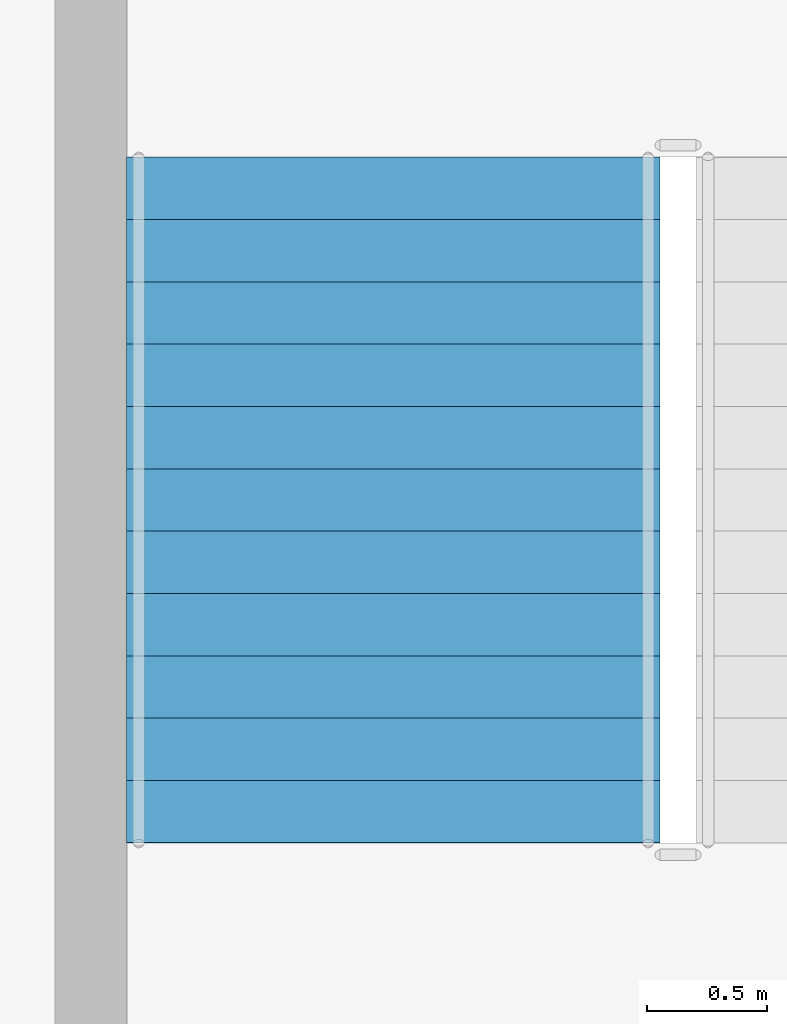
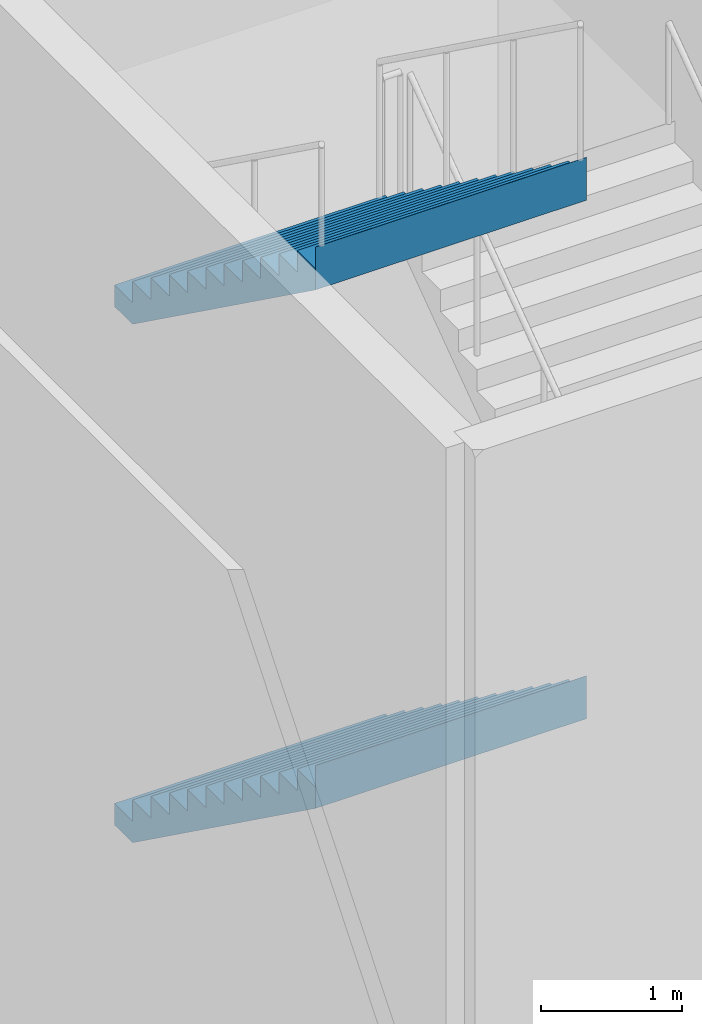
# One storey, part 25 of 35: 2 stair flights, 1 element without a shape of its own.
"""IFC4 building model written with IfcOpenShell, lengths in metres."""

from ifc_helpers import new_model, si_unit, direction, frame, origin, place, context, subcontext, project, spatial, triangles, material, type_object, element, aggregate, save


model = new_model("IFC4")

# Units and contexts
model_context = context("Model", 3, precision=1e-05, world=origin(), true_north=direction((0.0, 1.0)))
body_context = subcontext(model_context, "Body", "Model", "MODEL_VIEW")
ifc_project = project(units=[si_unit("LENGTHUNIT", "METRE"), si_unit("AREAUNIT", "SQUARE_METRE"), si_unit("VOLUMEUNIT", "CUBIC_METRE"), si_unit("PLANEANGLEUNIT", "RADIAN"), si_unit("MASSUNIT", "GRAM", prefix="KILO")], contexts=[model_context])

# Site, building, storey
site_placement = place(None, origin())
site = spatial("IfcSite", under=ifc_project, at=site_placement, CompositionType="ELEMENT")
building_placement = place(site_placement, origin())
building = spatial("IfcBuilding", under=site, at=building_placement, Name="Sahrelin Media Tower", CompositionType="ELEMENT")
storey_placement = place(building_placement, frame((0.0, 0.0, 8.0)))
storey = spatial("IfcBuildingStorey", under=building, at=storey_placement, Name="L01", CompositionType="ELEMENT", Elevation=8.0)

# Stair, stair flights
ifc_material = material(Name="Concrete C40/50", Category="concrete")
stair_type = type_object("IfcStairType", Name="Podium stair 2225", PredefinedType="HALF_TURN_STAIR", material=ifc_material)
stair_placement = place(storey_placement, origin())
stair = element("IfcStair", 1, at=stair_placement, inside=storey, type_object=stair_type, Name="L01 Podium stair PS1", PredefinedType="HALF_TURN_STAIR")
stair_flight_type = type_object("IfcStairFlightType", Name="Stair flight 2225", PredefinedType="STRAIGHT", material=ifc_material)
stair_flight_1_placement = place(storey_placement, frame((9.46240234375, 33.485107421875, 2.25), z_axis=(0.0, 0.0, 1.0), x_axis=(0.0, -1.0, 0.0)))
stair_flight_1 = element("IfcStairFlight", 2, at=stair_flight_1_placement, type_object=stair_flight_type, Name="PS1 flight 2", NumberOfRisers=12, NumberOfTreads=11, PredefinedType="STRAIGHT", RiserHeight=0.1875, TreadLength=0.26, context=body_context, shape_type="Tessellation", body=[
    triangles([(0.25634765625, 1.112548828125, 0.0), (0.25634765625, 0.794677734375, 0.0), (0.25634765625, 0.476806640625, 0.0), (0.25634765625, 0.158935546875, 0.0), (0.25634765625, -0.158935546875, 0.0), (0.25634765625, -0.476806640625, 0.0), (0.25634765625, -0.794677734375, 0.0), (0.25634765625, -1.112548828125, 0.0), (2.860107421875, 1.112548828125, 1.877685546875), (2.860107421875, 0.794677734375, 1.877685546875), (2.860107421875, 0.476806640625, 1.877685546875), (2.860107421875, 0.158935546875, 1.877685546875), (2.860107421875, -0.158935546875, 1.877685546875), (2.860107421875, -0.476806640625, 1.877685546875), (2.860107421875, -0.794677734375, 1.877685546875), (2.860107421875, -1.112548828125, 1.877685546875), (2.860107421875, 1.112548828125, 2.25), (2.860107421875, 0.794677734375, 2.25), (2.860107421875, 0.476806640625, 2.25), (2.860107421875, 0.158935546875, 2.25), (2.860107421875, -0.158935546875, 2.25), (2.860107421875, -0.476806640625, 2.25), (2.860107421875, -0.794677734375, 2.25), (2.860107421875, -1.112548828125, 2.25), (2.85791015625, 1.112548828125, 2.25), (2.85791015625, 0.794677734375, 2.25), (2.85791015625, 0.476806640625, 2.25), (2.85791015625, 0.158935546875, 2.25), (2.85791015625, -0.158935546875, 2.25), (2.85791015625, -0.476806640625, 2.25), (2.85791015625, -0.794677734375, 2.25), (2.85791015625, -1.112548828125, 2.25), (2.85791015625, 1.112548828125, 2.0625), (2.85791015625, 0.794677734375, 2.0625), (2.85791015625, 0.476806640625, 2.0625), (2.85791015625, 0.158935546875, 2.0625), (2.85791015625, -0.158935546875, 2.0625), (2.85791015625, -0.476806640625, 2.0625), (2.85791015625, -0.794677734375, 2.0625), (2.85791015625, -1.112548828125, 2.0625), (2.60009765625, 1.112548828125, 2.0625), (2.60009765625, 0.794677734375, 2.0625), (2.60009765625, 0.476806640625, 2.0625), (2.60009765625, 0.158935546875, 2.0625), (2.60009765625, -0.158935546875, 2.0625), (2.60009765625, -0.476806640625, 2.0625), (2.60009765625, -0.794677734375, 2.0625), (2.60009765625, -1.112548828125, 2.0625), (2.60009765625, 1.112548828125, 1.875), (2.60009765625, 0.794677734375, 1.875), (2.60009765625, 0.476806640625, 1.875), (2.60009765625, 0.158935546875, 1.875), (2.60009765625, -0.158935546875, 1.875), (2.60009765625, -0.476806640625, 1.875), (2.60009765625, -0.794677734375, 1.875), (2.60009765625, -1.112548828125, 1.875), (2.340087890625, 1.112548828125, 1.875), (2.340087890625, 0.794677734375, 1.875), (2.340087890625, 0.476806640625, 1.875), (2.340087890625, 0.158935546875, 1.875), (2.340087890625, -0.158935546875, 1.875), (2.340087890625, -0.476806640625, 1.875), (2.340087890625, -0.794677734375, 1.875), (2.340087890625, -1.112548828125, 1.875), (2.340087890625, 1.112548828125, 1.6875), (2.340087890625, 0.794677734375, 1.6875), (2.340087890625, 0.476806640625, 1.6875), (2.340087890625, 0.158935546875, 1.6875), (2.340087890625, -0.158935546875, 1.6875), (2.340087890625, -0.476806640625, 1.6875), (2.340087890625, -0.794677734375, 1.6875), (2.340087890625, -1.112548828125, 1.6875), (2.080078125, 1.112548828125, 1.6875), (2.080078125, 0.794677734375, 1.6875), (2.080078125, 0.476806640625, 1.6875), (2.080078125, 0.158935546875, 1.6875), (2.080078125, -0.158935546875, 1.6875), (2.080078125, -0.476806640625, 1.6875), (2.080078125, -0.794677734375, 1.6875), (2.080078125, -1.112548828125, 1.6875), (2.080078125, 1.112548828125, 1.5), (2.080078125, 0.794677734375, 1.5), (2.080078125, 0.476806640625, 1.5), (2.080078125, 0.158935546875, 1.5), (2.080078125, -0.158935546875, 1.5), (2.080078125, -0.476806640625, 1.5), (2.080078125, -0.794677734375, 1.5), (2.080078125, -1.112548828125, 1.5), (1.820068359375, 1.112548828125, 1.5), (1.820068359375, 0.794677734375, 1.5), (1.820068359375, 0.476806640625, 1.5), (1.820068359375, 0.158935546875, 1.5), (1.820068359375, -0.158935546875, 1.5), (1.820068359375, -0.476806640625, 1.5), (1.820068359375, -0.794677734375, 1.5), (1.820068359375, -1.112548828125, 1.5), (1.820068359375, 1.112548828125, 1.3125), (1.820068359375, 0.794677734375, 1.3125), (1.820068359375, 0.476806640625, 1.3125), (1.820068359375, 0.158935546875, 1.3125), (1.820068359375, -0.158935546875, 1.3125), (1.820068359375, -0.476806640625, 1.3125), (1.820068359375, -0.794677734375, 1.3125), (1.820068359375, -1.112548828125, 1.3125), (1.56005859375, 1.112548828125, 1.3125), (1.56005859375, 0.794677734375, 1.3125), (1.56005859375, 0.476806640625, 1.3125), (1.56005859375, 0.158935546875, 1.3125), (1.56005859375, -0.158935546875, 1.3125), (1.56005859375, -0.476806640625, 1.3125), (1.56005859375, -0.794677734375, 1.3125), (1.56005859375, -1.112548828125, 1.3125), (1.56005859375, 1.112548828125, 1.125), (1.56005859375, 0.794677734375, 1.125), (1.56005859375, 0.476806640625, 1.125), (1.56005859375, 0.158935546875, 1.125), (1.56005859375, -0.158935546875, 1.125), (1.56005859375, -0.476806640625, 1.125), (1.56005859375, -0.794677734375, 1.125), (1.56005859375, -1.112548828125, 1.125), (1.300048828125, 1.112548828125, 1.125), (1.300048828125, 0.794677734375, 1.125), (1.300048828125, 0.476806640625, 1.125), (1.300048828125, 0.158935546875, 1.125), (1.300048828125, -0.158935546875, 1.125), (1.300048828125, -0.476806640625, 1.125), (1.300048828125, -0.794677734375, 1.125), (1.300048828125, -1.112548828125, 1.125), (1.300048828125, 1.112548828125, 0.9375), (1.300048828125, 0.794677734375, 0.9375), (1.300048828125, 0.476806640625, 0.9375), (1.300048828125, 0.158935546875, 0.9375), (1.300048828125, -0.158935546875, 0.9375), (1.300048828125, -0.476806640625, 0.9375), (1.300048828125, -0.794677734375, 0.9375), (1.300048828125, -1.112548828125, 0.9375), (1.0400390625, 1.112548828125, 0.9375), (1.0400390625, 0.794677734375, 0.9375), (1.0400390625, 0.476806640625, 0.9375), (1.0400390625, 0.158935546875, 0.9375), (1.0400390625, -0.158935546875, 0.9375), (1.0400390625, -0.476806640625, 0.9375), (1.0400390625, -0.794677734375, 0.9375), (1.0400390625, -1.112548828125, 0.9375), (1.0400390625, 1.112548828125, 0.75), (1.0400390625, 0.794677734375, 0.75), (1.0400390625, 0.476806640625, 0.75), (1.0400390625, 0.158935546875, 0.75), (1.0400390625, -0.158935546875, 0.75), (1.0400390625, -0.476806640625, 0.75), (1.0400390625, -0.794677734375, 0.75), (1.0400390625, -1.112548828125, 0.75), (0.780029296875, 1.112548828125, 0.75), (0.780029296875, 0.794677734375, 0.75), (0.780029296875, 0.476806640625, 0.75), (0.780029296875, 0.158935546875, 0.75), (0.780029296875, -0.158935546875, 0.75), (0.780029296875, -0.476806640625, 0.75), (0.780029296875, -0.794677734375, 0.75), (0.780029296875, -1.112548828125, 0.75), (0.780029296875, 1.112548828125, 0.5625), (0.780029296875, 0.794677734375, 0.5625), (0.780029296875, 0.476806640625, 0.5625), (0.780029296875, 0.158935546875, 0.5625), (0.780029296875, -0.158935546875, 0.5625), (0.780029296875, -0.476806640625, 0.5625), (0.780029296875, -0.794677734375, 0.5625), (0.780029296875, -1.112548828125, 0.5625), (0.52001953125, 1.112548828125, 0.5625), (0.52001953125, 0.794677734375, 0.5625), (0.52001953125, 0.476806640625, 0.5625), (0.52001953125, 0.158935546875, 0.5625), (0.52001953125, -0.158935546875, 0.5625), (0.52001953125, -0.476806640625, 0.5625), (0.52001953125, -0.794677734375, 0.5625), (0.52001953125, -1.112548828125, 0.5625), (0.52001953125, 1.112548828125, 0.375), (0.52001953125, 0.794677734375, 0.375), (0.52001953125, 0.476806640625, 0.375), (0.52001953125, 0.158935546875, 0.375), (0.52001953125, -0.158935546875, 0.375), (0.52001953125, -0.476806640625, 0.375), (0.52001953125, -0.794677734375, 0.375), (0.52001953125, -1.112548828125, 0.375), (0.260009765625, 1.112548828125, 0.375), (0.260009765625, 0.794677734375, 0.375), (0.260009765625, 0.476806640625, 0.375), (0.260009765625, 0.158935546875, 0.375), (0.260009765625, -0.158935546875, 0.375), (0.260009765625, -0.476806640625, 0.375), (0.260009765625, -0.794677734375, 0.375), (0.260009765625, -1.112548828125, 0.375), (0.260009765625, 1.112548828125, 0.1875), (0.260009765625, 0.794677734375, 0.1875), (0.260009765625, 0.476806640625, 0.1875), (0.260009765625, 0.158935546875, 0.1875), (0.260009765625, -0.158935546875, 0.1875), (0.260009765625, -0.476806640625, 0.1875), (0.260009765625, -0.794677734375, 0.1875), (0.260009765625, -1.112548828125, 0.1875), (0.0, 1.112548828125, 0.1875), (0.0, 0.794677734375, 0.1875), (0.0, 0.476806640625, 0.1875), (0.0, 0.158935546875, 0.1875), (0.0, -0.158935546875, 0.1875), (0.0, -0.476806640625, 0.1875), (0.0, -0.794677734375, 0.1875), (0.0, -1.112548828125, 0.1875), (0.0, 1.112548828125, 0.0), (0.0, 0.794677734375, 0.0), (0.0, 0.476806640625, 0.0), (0.0, 0.158935546875, 0.0), (0.0, -0.158935546875, 0.0), (0.0, -0.476806640625, 0.0), (0.0, -0.794677734375, 0.0), (0.0, -1.112548828125, 0.0)], [[1, 9, 10], [1, 10, 2], [2, 10, 11], [2, 11, 3], [3, 11, 12], [3, 12, 4], [4, 12, 13], [4, 13, 5], [5, 13, 14], [5, 14, 6], [6, 14, 15], [6, 15, 7], [7, 15, 16], [7, 16, 8], [9, 17, 18], [9, 18, 10], [10, 18, 19], [10, 19, 11], [11, 19, 20], [11, 20, 12], [12, 20, 21], [12, 21, 13], [13, 21, 22], [13, 22, 14], [14, 22, 23], [14, 23, 15], [15, 23, 24], [15, 24, 16], [17, 25, 26], [17, 26, 18], [18, 26, 27], [18, 27, 19], [19, 27, 28], [19, 28, 20], [20, 28, 29], [20, 29, 21], [21, 29, 30], [21, 30, 22], [22, 30, 31], [22, 31, 23], [23, 31, 32], [23, 32, 24], [25, 33, 34], [25, 34, 26], [26, 34, 35], [26, 35, 27], [27, 35, 36], [27, 36, 28], [28, 36, 37], [28, 37, 29], [29, 37, 38], [29, 38, 30], [30, 38, 39], [30, 39, 31], [31, 39, 40], [31, 40, 32], [33, 41, 42], [33, 42, 34], [34, 42, 43], [34, 43, 35], [35, 43, 44], [35, 44, 36], [36, 44, 45], [36, 45, 37], [37, 45, 46], [37, 46, 38], [38, 46, 47], [38, 47, 39], [39, 47, 48], [39, 48, 40], [41, 49, 50], [41, 50, 42], [42, 50, 51], [42, 51, 43], [43, 51, 52], [43, 52, 44], [44, 52, 53], [44, 53, 45], [45, 53, 54], [45, 54, 46], [46, 54, 55], [46, 55, 47], [47, 55, 56], [47, 56, 48], [49, 57, 58], [49, 58, 50], [50, 58, 59], [50, 59, 51], [51, 59, 60], [51, 60, 52], [52, 60, 61], [52, 61, 53], [53, 61, 62], [53, 62, 54], [54, 62, 63], [54, 63, 55], [55, 63, 64], [55, 64, 56], [57, 65, 66], [57, 66, 58], [58, 66, 67], [58, 67, 59], [59, 67, 68], [59, 68, 60], [60, 68, 69], [60, 69, 61], [61, 69, 70], [61, 70, 62], [62, 70, 71], [62, 71, 63], [63, 71, 72], [63, 72, 64], [65, 73, 74], [65, 74, 66], [66, 74, 75], [66, 75, 67], [67, 75, 76], [67, 76, 68], [68, 76, 77], [68, 77, 69], [69, 77, 78], [69, 78, 70], [70, 78, 79], [70, 79, 71], [71, 79, 80], [71, 80, 72], [73, 81, 82], [73, 82, 74], [74, 82, 83], [74, 83, 75], [75, 83, 84], [75, 84, 76], [76, 84, 85], [76, 85, 77], [77, 85, 86], [77, 86, 78], [78, 86, 87], [78, 87, 79], [79, 87, 88], [79, 88, 80], [81, 89, 90], [81, 90, 82], [82, 90, 91], [82, 91, 83], [83, 91, 92], [83, 92, 84], [84, 92, 93], [84, 93, 85], [85, 93, 94], [85, 94, 86], [86, 94, 95], [86, 95, 87], [87, 95, 96], [87, 96, 88], [89, 97, 98], [89, 98, 90], [90, 98, 99], [90, 99, 91], [91, 99, 100], [91, 100, 92], [92, 100, 101], [92, 101, 93], [93, 101, 102], [93, 102, 94], [94, 102, 103], [94, 103, 95], [95, 103, 104], [95, 104, 96], [97, 105, 106], [97, 106, 98], [98, 106, 107], [98, 107, 99], [99, 107, 108], [99, 108, 100], [100, 108, 109], [100, 109, 101], [101, 109, 110], [101, 110, 102], [102, 110, 111], [102, 111, 103], [103, 111, 112], [103, 112, 104], [105, 113, 114], [105, 114, 106], [106, 114, 115], [106, 115, 107], [107, 115, 116], [107, 116, 108], [108, 116, 117], [108, 117, 109], [109, 117, 118], [109, 118, 110], [110, 118, 119], [110, 119, 111], [111, 119, 120], [111, 120, 112], [113, 121, 122], [113, 122, 114], [114, 122, 123], [114, 123, 115], [115, 123, 124], [115, 124, 116], [116, 124, 125], [116, 125, 117], [117, 125, 126], [117, 126, 118], [118, 126, 127], [118, 127, 119], [119, 127, 128], [119, 128, 120], [121, 129, 130], [121, 130, 122], [122, 130, 131], [122, 131, 123], [123, 131, 132], [123, 132, 124], [124, 132, 133], [124, 133, 125], [125, 133, 134], [125, 134, 126], [126, 134, 135], [126, 135, 127], [127, 135, 136], [127, 136, 128], [129, 137, 138], [129, 138, 130], [130, 138, 139], [130, 139, 131], [131, 139, 140], [131, 140, 132], [132, 140, 141], [132, 141, 133], [133, 141, 142], [133, 142, 134], [134, 142, 143], [134, 143, 135], [135, 143, 144], [135, 144, 136], [137, 145, 146], [137, 146, 138], [138, 146, 147], [138, 147, 139], [139, 147, 148], [139, 148, 140], [140, 148, 149], [140, 149, 141], [141, 149, 150], [141, 150, 142], [142, 150, 151], [142, 151, 143], [143, 151, 152], [143, 152, 144], [145, 153, 154], [145, 154, 146], [146, 154, 155], [146, 155, 147], [147, 155, 156], [147, 156, 148], [148, 156, 157], [148, 157, 149], [149, 157, 158], [149, 158, 150], [150, 158, 159], [150, 159, 151], [151, 159, 160], [151, 160, 152], [153, 161, 162], [153, 162, 154], [154, 162, 163], [154, 163, 155], [155, 163, 164], [155, 164, 156], [156, 164, 165], [156, 165, 157], [157, 165, 166], [157, 166, 158], [158, 166, 167], [158, 167, 159], [159, 167, 168], [159, 168, 160], [161, 169, 170], [161, 170, 162], [162, 170, 171], [162, 171, 163], [163, 171, 172], [163, 172, 164], [164, 172, 173], [164, 173, 165], [165, 173, 174], [165, 174, 166], [166, 174, 175], [166, 175, 167], [167, 175, 176], [167, 176, 168], [169, 177, 178], [169, 178, 170], [170, 178, 179], [170, 179, 171], [171, 179, 180], [171, 180, 172], [172, 180, 181], [172, 181, 173], [173, 181, 182], [173, 182, 174], [174, 182, 183], [174, 183, 175], [175, 183, 184], [175, 184, 176], [177, 185, 186], [177, 186, 178], [178, 186, 187], [178, 187, 179], [179, 187, 188], [179, 188, 180], [180, 188, 189], [180, 189, 181], [181, 189, 190], [181, 190, 182], [182, 190, 191], [182, 191, 183], [183, 191, 192], [183, 192, 184], [185, 193, 194], [185, 194, 186], [186, 194, 195], [186, 195, 187], [187, 195, 196], [187, 196, 188], [188, 196, 197], [188, 197, 189], [189, 197, 198], [189, 198, 190], [190, 198, 199], [190, 199, 191], [191, 199, 200], [191, 200, 192], [193, 201, 202], [193, 202, 194], [194, 202, 203], [194, 203, 195], [195, 203, 204], [195, 204, 196], [196, 204, 205], [196, 205, 197], [197, 205, 206], [197, 206, 198], [198, 206, 207], [198, 207, 199], [199, 207, 208], [199, 208, 200], [201, 209, 210], [201, 210, 202], [202, 210, 211], [202, 211, 203], [203, 211, 212], [203, 212, 204], [204, 212, 213], [204, 213, 205], [205, 213, 214], [205, 214, 206], [206, 214, 215], [206, 215, 207], [207, 215, 216], [207, 216, 208], [209, 1, 2], [209, 2, 210], [210, 2, 3], [210, 3, 211], [211, 3, 4], [211, 4, 212], [212, 4, 5], [212, 5, 213], [213, 5, 6], [213, 6, 214], [214, 6, 7], [214, 7, 215], [215, 7, 8], [215, 8, 216], [8, 208, 216], [1, 209, 201], [200, 184, 192], [193, 185, 177], [184, 168, 176], [177, 169, 161], [168, 152, 160], [161, 153, 145], [152, 136, 144], [145, 137, 129], [136, 120, 128], [129, 121, 113], [120, 104, 112], [113, 105, 97], [104, 88, 96], [97, 89, 81], [88, 72, 80], [81, 73, 65], [72, 56, 64], [65, 57, 49], [56, 40, 48], [49, 41, 33], [40, 24, 32], [33, 25, 17], [8, 200, 208], [1, 201, 193], [16, 56, 72], [9, 65, 49], [40, 16, 24], [33, 17, 9], [184, 200, 8], [177, 1, 193], [56, 16, 40], [49, 33, 9], [168, 184, 8], [161, 1, 177], [72, 88, 16], [65, 9, 81], [152, 168, 8], [145, 1, 161], [104, 16, 88], [97, 81, 9], [136, 152, 8], [129, 1, 145], [120, 16, 104], [113, 97, 9], [120, 136, 8], [113, 1, 129], [8, 16, 120], [1, 113, 9]], closed=True),
])
stair_flight_2_placement = place(storey_placement, frame((9.46240234375, 33.485107421875, 6.75), z_axis=(0.0, 0.0, 1.0), x_axis=(0.0, -1.0, 0.0)))
stair_flight_2 = element("IfcStairFlight", 3, at=stair_flight_2_placement, type_object=stair_flight_type, Name="PS1 flight 4", NumberOfRisers=12, NumberOfTreads=11, PredefinedType="STRAIGHT", RiserHeight=0.1875, TreadLength=0.26, context=body_context, shape_type="Tessellation", body=[
    triangles([(0.25634765625, 1.112548828125, 0.0), (0.25634765625, 0.794677734375, 0.0), (0.25634765625, 0.476806640625, 0.0), (0.25634765625, 0.158935546875, 0.0), (0.25634765625, -0.158935546875, 0.0), (0.25634765625, -0.476806640625, 0.0), (0.25634765625, -0.794677734375, 0.0), (0.25634765625, -1.112548828125, 0.0), (2.860107421875, 1.112548828125, 1.877685546875), (2.860107421875, 0.794677734375, 1.877685546875), (2.860107421875, 0.476806640625, 1.877685546875), (2.860107421875, 0.158935546875, 1.877685546875), (2.860107421875, -0.158935546875, 1.877685546875), (2.860107421875, -0.476806640625, 1.877685546875), (2.860107421875, -0.794677734375, 1.877685546875), (2.860107421875, -1.112548828125, 1.877685546875), (2.860107421875, 1.112548828125, 2.25), (2.860107421875, 0.794677734375, 2.25), (2.860107421875, 0.476806640625, 2.25), (2.860107421875, 0.158935546875, 2.25), (2.860107421875, -0.158935546875, 2.25), (2.860107421875, -0.476806640625, 2.25), (2.860107421875, -0.794677734375, 2.25), (2.860107421875, -1.112548828125, 2.25), (2.85791015625, 1.112548828125, 2.25), (2.85791015625, 0.794677734375, 2.25), (2.85791015625, 0.476806640625, 2.25), (2.85791015625, 0.158935546875, 2.25), (2.85791015625, -0.158935546875, 2.25), (2.85791015625, -0.476806640625, 2.25), (2.85791015625, -0.794677734375, 2.25), (2.85791015625, -1.112548828125, 2.25), (2.85791015625, 1.112548828125, 2.0625), (2.85791015625, 0.794677734375, 2.0625), (2.85791015625, 0.476806640625, 2.0625), (2.85791015625, 0.158935546875, 2.0625), (2.85791015625, -0.158935546875, 2.0625), (2.85791015625, -0.476806640625, 2.0625), (2.85791015625, -0.794677734375, 2.0625), (2.85791015625, -1.112548828125, 2.0625), (2.60009765625, 1.112548828125, 2.0625), (2.60009765625, 0.794677734375, 2.0625), (2.60009765625, 0.476806640625, 2.0625), (2.60009765625, 0.158935546875, 2.0625), (2.60009765625, -0.158935546875, 2.0625), (2.60009765625, -0.476806640625, 2.0625), (2.60009765625, -0.794677734375, 2.0625), (2.60009765625, -1.112548828125, 2.0625), (2.60009765625, 1.112548828125, 1.875), (2.60009765625, 0.794677734375, 1.875), (2.60009765625, 0.476806640625, 1.875), (2.60009765625, 0.158935546875, 1.875), (2.60009765625, -0.158935546875, 1.875), (2.60009765625, -0.476806640625, 1.875), (2.60009765625, -0.794677734375, 1.875), (2.60009765625, -1.112548828125, 1.875), (2.340087890625, 1.112548828125, 1.875), (2.340087890625, 0.794677734375, 1.875), (2.340087890625, 0.476806640625, 1.875), (2.340087890625, 0.158935546875, 1.875), (2.340087890625, -0.158935546875, 1.875), (2.340087890625, -0.476806640625, 1.875), (2.340087890625, -0.794677734375, 1.875), (2.340087890625, -1.112548828125, 1.875), (2.340087890625, 1.112548828125, 1.6875), (2.340087890625, 0.794677734375, 1.6875), (2.340087890625, 0.476806640625, 1.6875), (2.340087890625, 0.158935546875, 1.6875), (2.340087890625, -0.158935546875, 1.6875), (2.340087890625, -0.476806640625, 1.6875), (2.340087890625, -0.794677734375, 1.6875), (2.340087890625, -1.112548828125, 1.6875), (2.080078125, 1.112548828125, 1.6875), (2.080078125, 0.794677734375, 1.6875), (2.080078125, 0.476806640625, 1.6875), (2.080078125, 0.158935546875, 1.6875), (2.080078125, -0.158935546875, 1.6875), (2.080078125, -0.476806640625, 1.6875), (2.080078125, -0.794677734375, 1.6875), (2.080078125, -1.112548828125, 1.6875), (2.080078125, 1.112548828125, 1.5), (2.080078125, 0.794677734375, 1.5), (2.080078125, 0.476806640625, 1.5), (2.080078125, 0.158935546875, 1.5), (2.080078125, -0.158935546875, 1.5), (2.080078125, -0.476806640625, 1.5), (2.080078125, -0.794677734375, 1.5), (2.080078125, -1.112548828125, 1.5), (1.820068359375, 1.112548828125, 1.5), (1.820068359375, 0.794677734375, 1.5), (1.820068359375, 0.476806640625, 1.5), (1.820068359375, 0.158935546875, 1.5), (1.820068359375, -0.158935546875, 1.5), (1.820068359375, -0.476806640625, 1.5), (1.820068359375, -0.794677734375, 1.5), (1.820068359375, -1.112548828125, 1.5), (1.820068359375, 1.112548828125, 1.3125), (1.820068359375, 0.794677734375, 1.3125), (1.820068359375, 0.476806640625, 1.3125), (1.820068359375, 0.158935546875, 1.3125), (1.820068359375, -0.158935546875, 1.3125), (1.820068359375, -0.476806640625, 1.3125), (1.820068359375, -0.794677734375, 1.3125), (1.820068359375, -1.112548828125, 1.3125), (1.56005859375, 1.112548828125, 1.3125), (1.56005859375, 0.794677734375, 1.3125), (1.56005859375, 0.476806640625, 1.3125), (1.56005859375, 0.158935546875, 1.3125), (1.56005859375, -0.158935546875, 1.3125), (1.56005859375, -0.476806640625, 1.3125), (1.56005859375, -0.794677734375, 1.3125), (1.56005859375, -1.112548828125, 1.3125), (1.56005859375, 1.112548828125, 1.125), (1.56005859375, 0.794677734375, 1.125), (1.56005859375, 0.476806640625, 1.125), (1.56005859375, 0.158935546875, 1.125), (1.56005859375, -0.158935546875, 1.125), (1.56005859375, -0.476806640625, 1.125), (1.56005859375, -0.794677734375, 1.125), (1.56005859375, -1.112548828125, 1.125), (1.300048828125, 1.112548828125, 1.125), (1.300048828125, 0.794677734375, 1.125), (1.300048828125, 0.476806640625, 1.125), (1.300048828125, 0.158935546875, 1.125), (1.300048828125, -0.158935546875, 1.125), (1.300048828125, -0.476806640625, 1.125), (1.300048828125, -0.794677734375, 1.125), (1.300048828125, -1.112548828125, 1.125), (1.300048828125, 1.112548828125, 0.9375), (1.300048828125, 0.794677734375, 0.9375), (1.300048828125, 0.476806640625, 0.9375), (1.300048828125, 0.158935546875, 0.9375), (1.300048828125, -0.158935546875, 0.9375), (1.300048828125, -0.476806640625, 0.9375), (1.300048828125, -0.794677734375, 0.9375), (1.300048828125, -1.112548828125, 0.9375), (1.0400390625, 1.112548828125, 0.9375), (1.0400390625, 0.794677734375, 0.9375), (1.0400390625, 0.476806640625, 0.9375), (1.0400390625, 0.158935546875, 0.9375), (1.0400390625, -0.158935546875, 0.9375), (1.0400390625, -0.476806640625, 0.9375), (1.0400390625, -0.794677734375, 0.9375), (1.0400390625, -1.112548828125, 0.9375), (1.0400390625, 1.112548828125, 0.75), (1.0400390625, 0.794677734375, 0.75), (1.0400390625, 0.476806640625, 0.75), (1.0400390625, 0.158935546875, 0.75), (1.0400390625, -0.158935546875, 0.75), (1.0400390625, -0.476806640625, 0.75), (1.0400390625, -0.794677734375, 0.75), (1.0400390625, -1.112548828125, 0.75), (0.780029296875, 1.112548828125, 0.75), (0.780029296875, 0.794677734375, 0.75), (0.780029296875, 0.476806640625, 0.75), (0.780029296875, 0.158935546875, 0.75), (0.780029296875, -0.158935546875, 0.75), (0.780029296875, -0.476806640625, 0.75), (0.780029296875, -0.794677734375, 0.75), (0.780029296875, -1.112548828125, 0.75), (0.780029296875, 1.112548828125, 0.5625), (0.780029296875, 0.794677734375, 0.5625), (0.780029296875, 0.476806640625, 0.5625), (0.780029296875, 0.158935546875, 0.5625), (0.780029296875, -0.158935546875, 0.5625), (0.780029296875, -0.476806640625, 0.5625), (0.780029296875, -0.794677734375, 0.5625), (0.780029296875, -1.112548828125, 0.5625), (0.52001953125, 1.112548828125, 0.5625), (0.52001953125, 0.794677734375, 0.5625), (0.52001953125, 0.476806640625, 0.5625), (0.52001953125, 0.158935546875, 0.5625), (0.52001953125, -0.158935546875, 0.5625), (0.52001953125, -0.476806640625, 0.5625), (0.52001953125, -0.794677734375, 0.5625), (0.52001953125, -1.112548828125, 0.5625), (0.52001953125, 1.112548828125, 0.375), (0.52001953125, 0.794677734375, 0.375), (0.52001953125, 0.476806640625, 0.375), (0.52001953125, 0.158935546875, 0.375), (0.52001953125, -0.158935546875, 0.375), (0.52001953125, -0.476806640625, 0.375), (0.52001953125, -0.794677734375, 0.375), (0.52001953125, -1.112548828125, 0.375), (0.260009765625, 1.112548828125, 0.375), (0.260009765625, 0.794677734375, 0.375), (0.260009765625, 0.476806640625, 0.375), (0.260009765625, 0.158935546875, 0.375), (0.260009765625, -0.158935546875, 0.375), (0.260009765625, -0.476806640625, 0.375), (0.260009765625, -0.794677734375, 0.375), (0.260009765625, -1.112548828125, 0.375), (0.260009765625, 1.112548828125, 0.1875), (0.260009765625, 0.794677734375, 0.1875), (0.260009765625, 0.476806640625, 0.1875), (0.260009765625, 0.158935546875, 0.1875), (0.260009765625, -0.158935546875, 0.1875), (0.260009765625, -0.476806640625, 0.1875), (0.260009765625, -0.794677734375, 0.1875), (0.260009765625, -1.112548828125, 0.1875), (0.0, 1.112548828125, 0.1875), (0.0, 0.794677734375, 0.1875), (0.0, 0.476806640625, 0.1875), (0.0, 0.158935546875, 0.1875), (0.0, -0.158935546875, 0.1875), (0.0, -0.476806640625, 0.1875), (0.0, -0.794677734375, 0.1875), (0.0, -1.112548828125, 0.1875), (0.0, 1.112548828125, 0.0), (0.0, 0.794677734375, 0.0), (0.0, 0.476806640625, 0.0), (0.0, 0.158935546875, 0.0), (0.0, -0.158935546875, 0.0), (0.0, -0.476806640625, 0.0), (0.0, -0.794677734375, 0.0), (0.0, -1.112548828125, 0.0)], [[1, 9, 10], [1, 10, 2], [2, 10, 11], [2, 11, 3], [3, 11, 12], [3, 12, 4], [4, 12, 13], [4, 13, 5], [5, 13, 14], [5, 14, 6], [6, 14, 15], [6, 15, 7], [7, 15, 16], [7, 16, 8], [9, 17, 18], [9, 18, 10], [10, 18, 19], [10, 19, 11], [11, 19, 20], [11, 20, 12], [12, 20, 21], [12, 21, 13], [13, 21, 22], [13, 22, 14], [14, 22, 23], [14, 23, 15], [15, 23, 24], [15, 24, 16], [17, 25, 26], [17, 26, 18], [18, 26, 27], [18, 27, 19], [19, 27, 28], [19, 28, 20], [20, 28, 29], [20, 29, 21], [21, 29, 30], [21, 30, 22], [22, 30, 31], [22, 31, 23], [23, 31, 32], [23, 32, 24], [25, 33, 34], [25, 34, 26], [26, 34, 35], [26, 35, 27], [27, 35, 36], [27, 36, 28], [28, 36, 37], [28, 37, 29], [29, 37, 38], [29, 38, 30], [30, 38, 39], [30, 39, 31], [31, 39, 40], [31, 40, 32], [33, 41, 42], [33, 42, 34], [34, 42, 43], [34, 43, 35], [35, 43, 44], [35, 44, 36], [36, 44, 45], [36, 45, 37], [37, 45, 46], [37, 46, 38], [38, 46, 47], [38, 47, 39], [39, 47, 48], [39, 48, 40], [41, 49, 50], [41, 50, 42], [42, 50, 51], [42, 51, 43], [43, 51, 52], [43, 52, 44], [44, 52, 53], [44, 53, 45], [45, 53, 54], [45, 54, 46], [46, 54, 55], [46, 55, 47], [47, 55, 56], [47, 56, 48], [49, 57, 58], [49, 58, 50], [50, 58, 59], [50, 59, 51], [51, 59, 60], [51, 60, 52], [52, 60, 61], [52, 61, 53], [53, 61, 62], [53, 62, 54], [54, 62, 63], [54, 63, 55], [55, 63, 64], [55, 64, 56], [57, 65, 66], [57, 66, 58], [58, 66, 67], [58, 67, 59], [59, 67, 68], [59, 68, 60], [60, 68, 69], [60, 69, 61], [61, 69, 70], [61, 70, 62], [62, 70, 71], [62, 71, 63], [63, 71, 72], [63, 72, 64], [65, 73, 74], [65, 74, 66], [66, 74, 75], [66, 75, 67], [67, 75, 76], [67, 76, 68], [68, 76, 77], [68, 77, 69], [69, 77, 78], [69, 78, 70], [70, 78, 79], [70, 79, 71], [71, 79, 80], [71, 80, 72], [73, 81, 82], [73, 82, 74], [74, 82, 83], [74, 83, 75], [75, 83, 84], [75, 84, 76], [76, 84, 85], [76, 85, 77], [77, 85, 86], [77, 86, 78], [78, 86, 87], [78, 87, 79], [79, 87, 88], [79, 88, 80], [81, 89, 90], [81, 90, 82], [82, 90, 91], [82, 91, 83], [83, 91, 92], [83, 92, 84], [84, 92, 93], [84, 93, 85], [85, 93, 94], [85, 94, 86], [86, 94, 95], [86, 95, 87], [87, 95, 96], [87, 96, 88], [89, 97, 98], [89, 98, 90], [90, 98, 99], [90, 99, 91], [91, 99, 100], [91, 100, 92], [92, 100, 101], [92, 101, 93], [93, 101, 102], [93, 102, 94], [94, 102, 103], [94, 103, 95], [95, 103, 104], [95, 104, 96], [97, 105, 106], [97, 106, 98], [98, 106, 107], [98, 107, 99], [99, 107, 108], [99, 108, 100], [100, 108, 109], [100, 109, 101], [101, 109, 110], [101, 110, 102], [102, 110, 111], [102, 111, 103], [103, 111, 112], [103, 112, 104], [105, 113, 114], [105, 114, 106], [106, 114, 115], [106, 115, 107], [107, 115, 116], [107, 116, 108], [108, 116, 117], [108, 117, 109], [109, 117, 118], [109, 118, 110], [110, 118, 119], [110, 119, 111], [111, 119, 120], [111, 120, 112], [113, 121, 122], [113, 122, 114], [114, 122, 123], [114, 123, 115], [115, 123, 124], [115, 124, 116], [116, 124, 125], [116, 125, 117], [117, 125, 126], [117, 126, 118], [118, 126, 127], [118, 127, 119], [119, 127, 128], [119, 128, 120], [121, 129, 130], [121, 130, 122], [122, 130, 131], [122, 131, 123], [123, 131, 132], [123, 132, 124], [124, 132, 133], [124, 133, 125], [125, 133, 134], [125, 134, 126], [126, 134, 135], [126, 135, 127], [127, 135, 136], [127, 136, 128], [129, 137, 138], [129, 138, 130], [130, 138, 139], [130, 139, 131], [131, 139, 140], [131, 140, 132], [132, 140, 141], [132, 141, 133], [133, 141, 142], [133, 142, 134], [134, 142, 143], [134, 143, 135], [135, 143, 144], [135, 144, 136], [137, 145, 146], [137, 146, 138], [138, 146, 147], [138, 147, 139], [139, 147, 148], [139, 148, 140], [140, 148, 149], [140, 149, 141], [141, 149, 150], [141, 150, 142], [142, 150, 151], [142, 151, 143], [143, 151, 152], [143, 152, 144], [145, 153, 154], [145, 154, 146], [146, 154, 155], [146, 155, 147], [147, 155, 156], [147, 156, 148], [148, 156, 157], [148, 157, 149], [149, 157, 158], [149, 158, 150], [150, 158, 159], [150, 159, 151], [151, 159, 160], [151, 160, 152], [153, 161, 162], [153, 162, 154], [154, 162, 163], [154, 163, 155], [155, 163, 164], [155, 164, 156], [156, 164, 165], [156, 165, 157], [157, 165, 166], [157, 166, 158], [158, 166, 167], [158, 167, 159], [159, 167, 168], [159, 168, 160], [161, 169, 170], [161, 170, 162], [162, 170, 171], [162, 171, 163], [163, 171, 172], [163, 172, 164], [164, 172, 173], [164, 173, 165], [165, 173, 174], [165, 174, 166], [166, 174, 175], [166, 175, 167], [167, 175, 176], [167, 176, 168], [169, 177, 178], [169, 178, 170], [170, 178, 179], [170, 179, 171], [171, 179, 180], [171, 180, 172], [172, 180, 181], [172, 181, 173], [173, 181, 182], [173, 182, 174], [174, 182, 183], [174, 183, 175], [175, 183, 184], [175, 184, 176], [177, 185, 186], [177, 186, 178], [178, 186, 187], [178, 187, 179], [179, 187, 188], [179, 188, 180], [180, 188, 189], [180, 189, 181], [181, 189, 190], [181, 190, 182], [182, 190, 191], [182, 191, 183], [183, 191, 192], [183, 192, 184], [185, 193, 194], [185, 194, 186], [186, 194, 195], [186, 195, 187], [187, 195, 196], [187, 196, 188], [188, 196, 197], [188, 197, 189], [189, 197, 198], [189, 198, 190], [190, 198, 199], [190, 199, 191], [191, 199, 200], [191, 200, 192], [193, 201, 202], [193, 202, 194], [194, 202, 203], [194, 203, 195], [195, 203, 204], [195, 204, 196], [196, 204, 205], [196, 205, 197], [197, 205, 206], [197, 206, 198], [198, 206, 207], [198, 207, 199], [199, 207, 208], [199, 208, 200], [201, 209, 210], [201, 210, 202], [202, 210, 211], [202, 211, 203], [203, 211, 212], [203, 212, 204], [204, 212, 213], [204, 213, 205], [205, 213, 214], [205, 214, 206], [206, 214, 215], [206, 215, 207], [207, 215, 216], [207, 216, 208], [209, 1, 2], [209, 2, 210], [210, 2, 3], [210, 3, 211], [211, 3, 4], [211, 4, 212], [212, 4, 5], [212, 5, 213], [213, 5, 6], [213, 6, 214], [214, 6, 7], [214, 7, 215], [215, 7, 8], [215, 8, 216], [8, 208, 216], [1, 209, 201], [200, 184, 192], [193, 185, 177], [184, 168, 176], [177, 169, 161], [168, 152, 160], [161, 153, 145], [152, 136, 144], [145, 137, 129], [136, 120, 128], [129, 121, 113], [120, 104, 112], [113, 105, 97], [104, 88, 96], [97, 89, 81], [88, 72, 80], [81, 73, 65], [72, 56, 64], [65, 57, 49], [56, 40, 48], [49, 41, 33], [40, 24, 32], [33, 25, 17], [8, 200, 208], [1, 201, 193], [16, 56, 72], [9, 65, 49], [40, 16, 24], [33, 17, 9], [184, 200, 8], [177, 1, 193], [56, 16, 40], [49, 33, 9], [168, 184, 8], [161, 1, 177], [72, 88, 16], [65, 9, 81], [152, 168, 8], [145, 1, 161], [104, 16, 88], [97, 81, 9], [136, 152, 8], [129, 1, 145], [120, 16, 104], [113, 97, 9], [120, 136, 8], [113, 1, 129], [8, 16, 120], [1, 113, 9]], closed=True),
])
aggregate(stair, [stair_flight_1, stair_flight_2])

save(model, "model.ifc")
